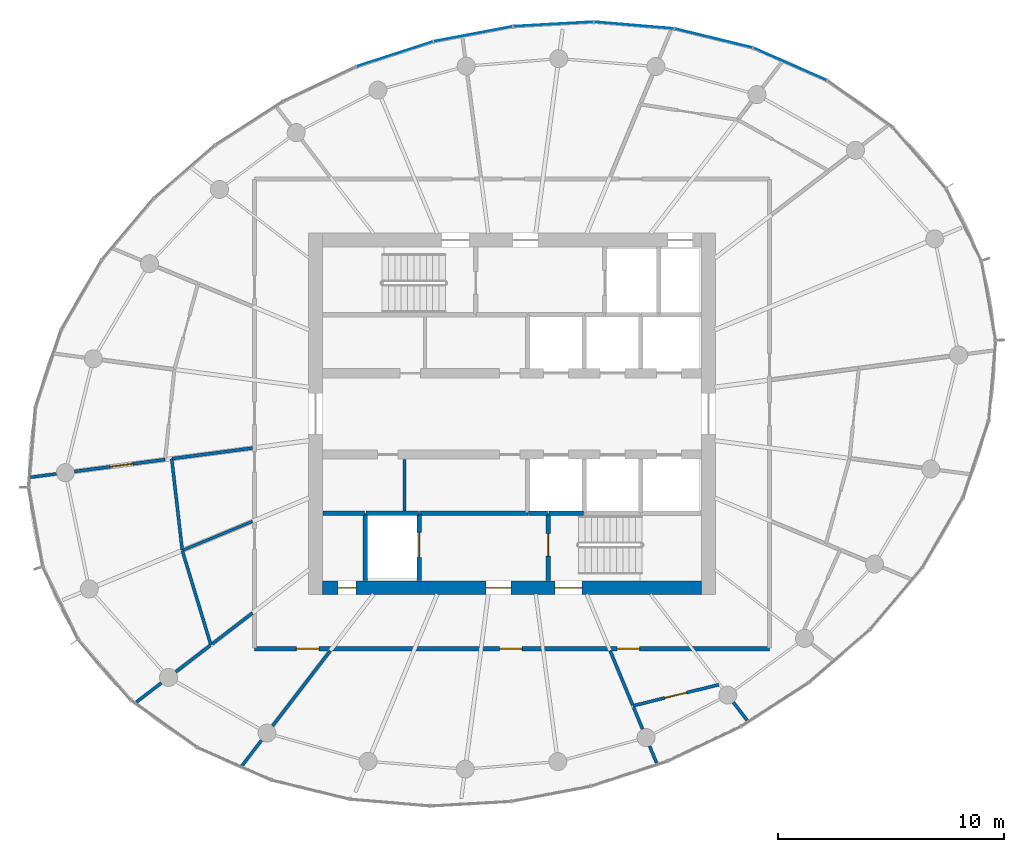
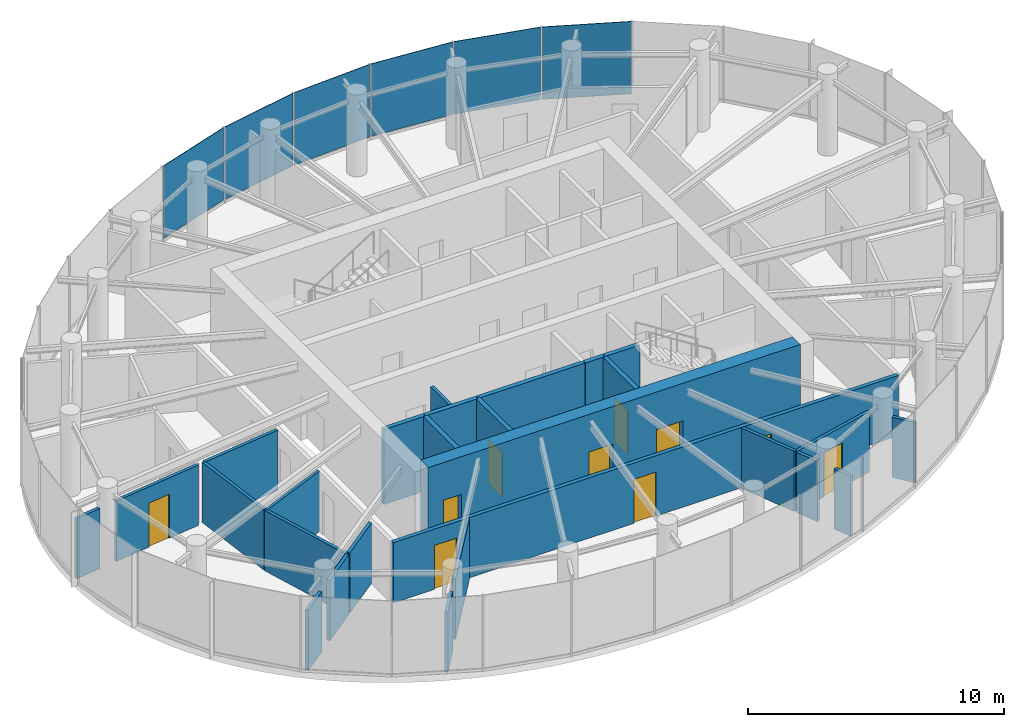
# One storey, part 8 of 13: 27 walls, 10 doors, 6 plates, 10 openings, 2 elements without a shape of their own.
"""IFC4 building model written with IfcOpenShell, lengths in metres."""

import ifcopenshell
import ifcopenshell.guid

model = None  # the IFC model being written
_history = None  # IfcOwnerHistory: only IFC2X3 demands one
_inside = {}  # id of a spatial element -> (the spatial element, [elements in it])
_under = {}  # id of a project, library or spatial element -> (it, [spatial elements below it])
_declared = {}  # id of a project -> (the project, [libraries it declares])
_typed = {}  # id of a type object -> (the type object, [elements of that type])
_made_of = {}  # id of a material, layer set ... -> (it, [elements and type objects made of it])


def new_model(schema):
    """Start an empty IFC model of exactly this schema.

    Asked for "IFC4X3", IfcOpenShell would pick the latest addendum, in which some entities
    have other attributes; the version numbers below select the first issue.
    IFC2X3 requires an IfcOwnerHistory on every rooted entity: one is made here for all.
    """
    global model, _history
    if schema == "IFC4X3":
        model = ifcopenshell.file(schema_version=(4, 3, 0, 0))
    else:
        model = ifcopenshell.file(schema=schema)
    _inside.clear()
    _under.clear()
    _declared.clear()
    _typed.clear()
    _made_of.clear()
    _history = None
    if model.schema == "IFC2X3":
        org = make("IfcOrganization", Name="unknown")
        user = make(
            "IfcPersonAndOrganization",
            ThePerson=make("IfcPerson", FamilyName="unknown"),
            TheOrganization=org,
        )
        app = make(
            "IfcApplication",
            ApplicationDeveloper=org,
            Version="unknown",
            ApplicationFullName="unknown",
            ApplicationIdentifier="unknown",
        )
        _history = make(
            "IfcOwnerHistory",
            OwningUser=user,
            OwningApplication=app,
            ChangeAction="ADDED",
            CreationDate=0,
        )
    return model


def make(cls, **values):
    """One entity of the class cls with the attributes given. An attribute that is None is left unset."""
    return model.create_entity(
        cls, **{name: value for name, value in values.items() if value is not None}
    )


def rooted(cls, **values):
    """An entity with a GlobalId (a new one), such as an element, a storey or a relation."""
    return make(cls, GlobalId=ifcopenshell.guid.new(), OwnerHistory=_history, **values)


def si_unit(unit_type, name, prefix=None):
    """IfcSIUnit, for example si_unit("LENGTHUNIT", "METRE", prefix="MILLI")."""
    return make("IfcSIUnit", UnitType=unit_type, Prefix=prefix, Name=name)


def assignment(units):
    """IfcUnitAssignment: the units of a project."""
    return None if units is None else make("IfcUnitAssignment", Units=units)


def point(xyz):
    """IfcCartesianPoint."""
    return None if xyz is None else make("IfcCartesianPoint", Coordinates=xyz)


def direction(xyz):
    """IfcDirection."""
    return None if xyz is None else make("IfcDirection", DirectionRatios=xyz)


def frame(location, z_axis=None, x_axis=None):
    """IfcAxis2Placement3D, a coordinate frame: its origin and axes. An axis left out is left unset."""
    return make(
        "IfcAxis2Placement3D",
        Location=point(location),
        Axis=direction(z_axis),
        RefDirection=direction(x_axis),
    )


def frame_2d(location, x_axis=None):
    """IfcAxis2Placement2D, a coordinate frame in the plane: its origin and x axis."""
    return make(
        "IfcAxis2Placement2D", Location=point(location), RefDirection=direction(x_axis)
    )


def origin():
    """The frame at (0, 0, 0) with its axes left unset."""
    return frame((0.0, 0.0, 0.0))


def origin_2d():
    """The frame at (0, 0) in the plane with its x axis left unset."""
    return frame_2d((0.0, 0.0))


def place(relative_to, where):
    """IfcLocalPlacement: puts the frame where relative to a parent placement (None: the world)."""
    return make(
        "IfcLocalPlacement", PlacementRelTo=relative_to, RelativePlacement=where
    )


def context(
    kind, dimensions, precision=None, world=None, true_north=None, identifier=None
):
    """IfcGeometricRepresentationContext, for example the 3D "Model" context."""
    return make(
        "IfcGeometricRepresentationContext",
        ContextIdentifier=identifier,
        ContextType=kind,
        CoordinateSpaceDimension=dimensions,
        Precision=precision,
        WorldCoordinateSystem=world,
        TrueNorth=true_north,
    )


def subcontext(parent, identifier, kind, view, scale=None):
    """IfcGeometricRepresentationSubContext, for example "Body" below "Model"."""
    return make(
        "IfcGeometricRepresentationSubContext",
        ContextIdentifier=identifier,
        ContextType=kind,
        ParentContext=parent,
        TargetScale=scale,
        TargetView=view,
    )


def project(units=None, contexts=None):
    """IfcProject with its units and contexts."""
    return rooted(
        "IfcProject",
        Name="project",
        RepresentationContexts=contexts,
        UnitsInContext=assignment(units),
    )


def spatial(cls, under=None, at=None, **own):
    """A site, building, storey or space (cls), placed at a placement, below another one or the project."""
    s = rooted(cls, ObjectPlacement=at, **own)
    if under is not None:
        _under.setdefault(under.id(), (under, []))[1].append(s)
    return s


def profile(cls, at=None, kind="AREA", **sizes):
    """A parametric profile (cls). Its sizes go by their IFC names, for example OverallWidth=200.0."""
    return make(cls, ProfileType=kind, Position=at, **sizes)


def rectangle(**sizes):
    """IfcRectangleProfileDef."""
    return profile("IfcRectangleProfileDef", **sizes)


def extrude(swept, where, along, depth):
    """IfcExtrudedAreaSolid: the profile swept, set in the frame where, extruded along a direction by depth."""
    return make(
        "IfcExtrudedAreaSolid",
        SweptArea=swept,
        Position=where,
        ExtrudedDirection=direction(along),
        Depth=depth,
    )


def shape(context_of_items, identifier, shape_type, items):
    """IfcShapeRepresentation: the items that make up one representation, for example the "Body"."""
    return make(
        "IfcShapeRepresentation",
        ContextOfItems=context_of_items,
        RepresentationIdentifier=identifier,
        RepresentationType=shape_type,
        Items=items,
    )


def source(mapping_origin, context_of_items, identifier, shape_type, items):
    """IfcRepresentationMap: a shape defined once, which mapped items show again and again."""
    return make(
        "IfcRepresentationMap",
        MappingOrigin=mapping_origin,
        MappedRepresentation=shape(context_of_items, identifier, shape_type, items),
    )


def transform(
    local_origin,
    x_axis=None,
    y_axis=None,
    z_axis=None,
    scale=None,
    scale2=None,
    scale3=None,
    uniform=True,
):
    """IfcCartesianTransformationOperator3D, or its non-uniform kind. x_axis, y_axis, z_axis: its Axis1, 2, 3."""
    if uniform:
        return make(
            "IfcCartesianTransformationOperator3D",
            Axis1=direction(x_axis),
            Axis2=direction(y_axis),
            LocalOrigin=point(local_origin),
            Scale=scale,
            Axis3=direction(z_axis),
        )
    return make(
        "IfcCartesianTransformationOperator3DnonUniform",
        Axis1=direction(x_axis),
        Axis2=direction(y_axis),
        LocalOrigin=point(local_origin),
        Scale=scale,
        Axis3=direction(z_axis),
        Scale2=scale2,
        Scale3=scale3,
    )


def mapped(mapping_source, mapping_target):
    """IfcMappedItem: shows the shape of a source again, moved by a transform."""
    return make(
        "IfcMappedItem", MappingSource=mapping_source, MappingTarget=mapping_target
    )


def material(Name=None, Category=None):
    """IfcMaterial."""
    return make("IfcMaterial", Name=Name, Category=Category)


def layer(
    of_material, thickness, ventilated=None, Name=None, Category=None, Priority=None
):
    """IfcMaterialLayer: one layer of a wall or slab, of a material (None: an air gap)."""
    return make(
        "IfcMaterialLayer",
        Material=of_material,
        LayerThickness=thickness,
        IsVentilated=ventilated,
        Name=Name,
        Category=Category,
        Priority=Priority,
    )


def layer_set(layers, Name=None):
    """IfcMaterialLayerSet."""
    return make("IfcMaterialLayerSet", MaterialLayers=layers, LayerSetName=Name)


def made_of(thing, what):
    """Note that an element or type object is made of a material, layer set ...; save() writes the relation."""
    if what is not None:
        _made_of.setdefault(what.id(), (what, []))[1].append(thing)
    return thing


def type_object(cls, material=None, **own):
    """A type object (cls), such as IfcWallType, which elements share."""
    return made_of(rooted(cls, **own), material)


def element(
    cls,
    number,
    at=None,
    inside=None,
    cuts=None,
    type_object=None,
    material=None,
    context=None,
    identifier="Body",
    shape_type=None,
    held_by="IfcProductDefinitionShape",
    body=None,
    shapes=None,
    **own,
):
    """One element of the class cls, such as IfcWall. Its Tag is "e" and its number.

    at: its placement. inside: the storey or other place that contains it. cuts: it is an
    opening in that element (IfcRelVoidsElement). A single representation is given by context,
    identifier, shape_type and body (its items); several are given by shapes. held_by: the class
    of the entity that holds the representations. save() writes the other relations.
    """
    e = rooted(cls, Tag="e%d" % number, ObjectPlacement=at, **own)
    if body is not None:
        shapes = [shape(context, identifier, shape_type, body)]
    if shapes is not None:
        e.Representation = make(held_by, Representations=shapes)
    if inside is not None:
        _inside.setdefault(inside.id(), (inside, []))[1].append(e)
    if cuts is not None:
        rooted(
            "IfcRelVoidsElement", RelatingBuildingElement=cuts, RelatedOpeningElement=e
        )
    if type_object is not None:
        _typed.setdefault(type_object.id(), (type_object, []))[1].append(e)
    return made_of(e, material)


def fill(opening, filler):
    """IfcRelFillsElement: the door or window that sits in an opening."""
    return rooted(
        "IfcRelFillsElement",
        RelatingOpeningElement=opening,
        RelatedBuildingElement=filler,
    )


def aggregate(whole, parts):
    """IfcRelAggregates: a whole, such as a stair, and the parts it consists of."""
    return rooted("IfcRelAggregates", RelatingObject=whole, RelatedObjects=parts)


def save(model, path):
    """Write the relations noted so far, then the file.

    IfcRelAggregates (storeys below a building ...), IfcRelContainedInSpatialStructure (elements
    in a storey), IfcRelDefinesByType, IfcRelAssociatesMaterial and IfcRelDeclares: one each for
    every whole, place, type object, material and project.
    """
    for whole, parts in _under.values():
        aggregate(whole, parts)
    for where, things in _inside.values():
        rooted(
            "IfcRelContainedInSpatialStructure",
            RelatedElements=things,
            RelatingStructure=where,
        )
    for kind, things in _typed.values():
        rooted("IfcRelDefinesByType", RelatedObjects=things, RelatingType=kind)
    for what, things in _made_of.values():
        rooted("IfcRelAssociatesMaterial", RelatedObjects=things, RelatingMaterial=what)
    for by, libraries in _declared.values():
        rooted("IfcRelDeclares", RelatingContext=by, RelatedDefinitions=libraries)
    model.write(path)


model = new_model("IFC4")

# Units and contexts
model_context = context("Model", 3, precision=1e-05, world=origin(), true_north=direction((0.0, 1.0)))
body_context = subcontext(model_context, "Body", "Model", "MODEL_VIEW")
ifc_project = project(units=[si_unit("LENGTHUNIT", "METRE"), si_unit("AREAUNIT", "SQUARE_METRE"), si_unit("VOLUMEUNIT", "CUBIC_METRE"), si_unit("PLANEANGLEUNIT", "RADIAN"), si_unit("MASSUNIT", "GRAM", prefix="KILO")], contexts=[model_context])

# Site, building, storey
site_placement = place(None, origin())
site = spatial("IfcSite", under=ifc_project, at=site_placement, CompositionType="ELEMENT")
building_placement = place(site_placement, origin())
building = spatial("IfcBuilding", under=site, at=building_placement, Name="Spindrift Exchange Tower", CompositionType="ELEMENT")
storey_placement = place(building_placement, frame((0.0, 0.0, 250.10009765625)))
storey = spatial("IfcBuildingStorey", under=building, at=storey_placement, Name="L61", CompositionType="ELEMENT", Elevation=250.10009765625)

# Curtain wall, plates
ifc_material_1 = material(Name="Fritted laminated glass with bronze frame", Category="glass")
ifc_layer_1 = layer(ifc_material_1, 0.159912109375)
ifc_layer_set_1 = layer_set([ifc_layer_1], Name="ZONE 5 BRONZE FRITTED WALL")
curtain_wall_type = type_object("IfcCurtainWallType", Name="ZONE 5 BRONZE FRITTED WALL", PredefinedType="NOTDEFINED", material=ifc_layer_set_1)
curtain_wall_1_placement = place(storey_placement, origin())
curtain_wall_1 = element("IfcCurtainWall", 1, at=curtain_wall_1_placement, inside=storey, type_object=curtain_wall_type, Name="L61 Zone 5 Bronze Fritted Wall run 2", PredefinedType="NOTDEFINED")
ifc_material_2 = material(Name="Bronze fritted laminated glass, open frit", Category="glass")
ifc_layer_2 = layer(ifc_material_2, 0.028076171875)
ifc_layer_set_2 = layer_set([ifc_layer_2], Name="ZONE 5 BRONZE FRITTED WALL PANEL OPEN FRIT 360")
plate_type_1 = type_object("IfcPlateType", Name="ZONE 5 BRONZE FRITTED WALL PANEL OPEN FRIT 360", PredefinedType="CURTAIN_PANEL", material=ifc_layer_set_2)
shared_shape_1 = source(origin(), body_context, "Body", "SweptSolid", [
    extrude(rectangle(XDim=3.5263671875, YDim=0.028076171875, at=origin_2d()), origin(), (0.0, 0.0, 1.0), 3.4599609375),
])
plate_1_placement = place(storey_placement, frame((46.80908203125, 63.93408203125, 0.119873046875), z_axis=(0.0, 0.0, 1.0), x_axis=(-0.950822171479, -0.309737305188, 0.0)))
plate_1 = element("IfcPlate", 2, at=plate_1_placement, type_object=plate_type_1, Name="L61 panel CW-5.9", PredefinedType="CURTAIN_PANEL", context=body_context, shape_type="MappedRepresentation", body=[
    mapped(shared_shape_1, transform((0.0, 0.0, 0.0), scale=1.0)),
])
ifc_layer_3 = layer(ifc_material_2, 0.028076171875)
ifc_layer_set_3 = layer_set([ifc_layer_3], Name="ZONE 5 BRONZE FRITTED WALL PANEL OPEN FRIT 600")
plate_type_2 = type_object("IfcPlateType", Name="ZONE 5 BRONZE FRITTED WALL PANEL OPEN FRIT 600", PredefinedType="CURTAIN_PANEL", material=ifc_layer_set_3)
shared_shape_2 = source(origin(), body_context, "Body", "SweptSolid", [
    extrude(rectangle(XDim=3.526123046875, YDim=0.028076171875, at=origin_2d()), origin(), (0.0, 0.0, 1.0), 3.4599609375),
])
plate_2_placement = place(storey_placement, frame((50.275634765625, 64.82421875, 0.119873046875), z_axis=(0.0, 0.0, 1.0), x_axis=(-0.982419783193, -0.186685215243, 0.0)))
plate_2 = element("IfcPlate", 3, at=plate_2_placement, type_object=plate_type_2, Name="L61 panel CW-5.8", PredefinedType="CURTAIN_PANEL", context=body_context, shape_type="MappedRepresentation", body=[
    mapped(shared_shape_2, transform((0.0, 0.0, 0.0), scale=1.0)),
])

# Curtain wall, plate
curtain_wall_2_placement = place(storey_placement, origin())
curtain_wall_2 = element("IfcCurtainWall", 4, at=curtain_wall_2_placement, inside=storey, type_object=curtain_wall_type, Name="L61 Zone 5 Bronze Fritted Wall run 1", PredefinedType="NOTDEFINED")
shared_shape_3 = source(origin(), body_context, "Body", "SweptSolid", [
    extrude(rectangle(XDim=3.5234375, YDim=0.028076171875, at=origin_2d()), origin(), (0.0, 0.0, 1.0), 3.4599609375),
])
plate_3_placement = place(storey_placement, frame((64.312744140625, 63.48779296875, 0.119873046875), z_axis=(0.0, 0.0, 1.0), x_axis=(-0.915078658027, 0.403275401709, 0.0)))
plate_3 = element("IfcPlate", 5, at=plate_3_placement, type_object=plate_type_1, Name="L61 panel CW-5.4", PredefinedType="CURTAIN_PANEL", context=body_context, shape_type="MappedRepresentation", body=[
    mapped(shared_shape_3, transform((0.0, 0.0, 0.0), scale=1.0)),
])

# Plate
shared_shape_4 = source(origin(), body_context, "Body", "SweptSolid", [
    extrude(rectangle(XDim=3.526123046875, YDim=0.028076171875, at=origin_2d()), origin(), (0.0, 0.0, 1.0), 3.4599609375),
])
plate_4_placement = place(storey_placement, frame((53.827392578125, 65.260009765625, 0.119873046875), z_axis=(0.0, 0.0, 1.0), x_axis=(-0.998415428603, -0.056272834713, 0.0)))
plate_4 = element("IfcPlate", 6, at=plate_4_placement, type_object=plate_type_1, Name="L61 panel CW-5.7", PredefinedType="CURTAIN_PANEL", context=body_context, shape_type="MappedRepresentation", body=[
    mapped(shared_shape_4, transform((0.0, 0.0, 0.0), scale=1.0)),
])

aggregate(curtain_wall_1, [plate_4, plate_2, plate_1])

ifc_layer_4 = layer(ifc_material_2, 0.028076171875)
ifc_layer_set_4 = layer_set([ifc_layer_4], Name="ZONE 5 BRONZE FRITTED WALL PANEL OPEN FRIT 480")
plate_type_3 = type_object("IfcPlateType", Name="ZONE 5 BRONZE FRITTED WALL PANEL OPEN FRIT 480", PredefinedType="CURTAIN_PANEL", material=ifc_layer_set_4)
shared_shape_5 = source(origin(), body_context, "Body", "SweptSolid", [
    extrude(rectangle(XDim=3.524658203125, YDim=0.028076171875, at=origin_2d()), origin(), (0.0, 0.0, 1.0), 3.4599609375),
])
plate_5_placement = place(storey_placement, frame((60.931640625, 64.635009765625, 0.119873046875), z_axis=(0.0, 0.0, 1.0), x_axis=(-0.971548706636, 0.236839841738, 0.0)))
plate_5 = element("IfcPlate", 7, at=plate_5_placement, type_object=plate_type_3, Name="L61 panel CW-5.5", PredefinedType="CURTAIN_PANEL", context=body_context, shape_type="MappedRepresentation", body=[
    mapped(shared_shape_5, transform((0.0, 0.0, 0.0), scale=1.0)),
])

shared_shape_6 = source(origin(), body_context, "Body", "SweptSolid", [
    extrude(rectangle(XDim=3.525390625, YDim=0.028076171875, at=origin_2d()), origin(), (0.0, 0.0, 1.0), 3.4599609375),
])
plate_6_placement = place(storey_placement, frame((57.404052734375, 65.210205078125, 0.119873046875), z_axis=(0.0, 0.0, 1.0), x_axis=(-0.996463002829, 0.084032636481, 0.0)))
plate_6 = element("IfcPlate", 8, at=plate_6_placement, type_object=plate_type_1, Name="L61 panel CW-5.6", PredefinedType="CURTAIN_PANEL", context=body_context, shape_type="MappedRepresentation", body=[
    mapped(shared_shape_6, transform((0.0, 0.0, 0.0), scale=1.0)),
])

aggregate(curtain_wall_2, [plate_3, plate_5, plate_6])

# Wall, openings, doors
ifc_material_3 = material(Name="Concrete 50 MPa", Category="concrete")
ifc_layer_5 = layer(ifc_material_3, 0.60009765625)
ifc_layer_set_5 = layer_set([ifc_layer_5], Name="RC Core Wall 600 Concrete 50 MPa")
wall_type_1 = type_object("IfcWallType", Name="RC Core Wall 600 Concrete 50 MPa", PredefinedType="SHEAR", material=ifc_layer_set_5)
wall_1_placement = place(storey_placement, frame((43.60009765625, 40.300048828125, 0.0), z_axis=(0.0, 0.0, 1.0), x_axis=(1.0, 0.0, 0.0)))
wall_1 = element("IfcWall", 9, at=wall_1_placement, inside=storey, type_object=wall_type_1, Name="Core wall S L61", PredefinedType="SHEAR", context=body_context, shape_type="SweptSolid", body=[
    extrude(rectangle(XDim=16.7998046875, YDim=0.60009765625, at=frame_2d((8.39990234375, 0.0))), origin(), (0.0, 0.0, 1.0), 3.89990234375),
])
opening_1_placement = place(wall_1_placement, frame((10.300048828125, 0.0, 0.0)))
opening_1 = element("IfcOpeningElement", 10, at=opening_1_placement, cuts=wall_1, Name="Opening L61-D15", PredefinedType="OPENING", context=body_context, shape_type="SweptSolid", body=[
    extrude(rectangle(XDim=1.199951171875, YDim=2.10009765625, at=frame_2d((0.60009765625, 1.050048828125))), frame((0.0, 0.31005859375, 0.0), z_axis=(0.0, -1.0, 0.0), x_axis=(1.0, 0.0, 0.0)), (0.0, 0.0, 1.0), 0.6201171875),
])
opening_2_placement = place(wall_1_placement, frame((7.25, 0.0, 0.0)))
opening_2 = element("IfcOpeningElement", 11, at=opening_2_placement, cuts=wall_1, Name="Opening L61-D17", PredefinedType="OPENING", context=body_context, shape_type="SweptSolid", body=[
    extrude(rectangle(XDim=1.10009765625, YDim=2.10009765625, at=frame_2d((0.550048828125, 1.050048828125))), frame((0.0, 0.31005859375, 0.0), z_axis=(0.0, -1.0, 0.0), x_axis=(1.0, 0.0, 0.0)), (0.0, 0.0, 1.0), 0.6201171875),
])
opening_3_placement = place(wall_1_placement, frame((0.699951171875, 0.0, 0.0)))
opening_3 = element("IfcOpeningElement", 12, at=opening_3_placement, cuts=wall_1, Name="Opening L61-D18", PredefinedType="OPENING", context=body_context, shape_type="SweptSolid", body=[
    extrude(rectangle(XDim=0.800048828125, YDim=2.10009765625, at=frame_2d((0.39990234375, 1.050048828125))), frame((0.0, 0.31005859375, 0.0), z_axis=(0.0, -1.0, 0.0), x_axis=(1.0, 0.0, 0.0)), (0.0, 0.0, 1.0), 0.6201171875),
])
ifc_material_4 = material(Name="Steel fire door", Category="steel")
door_type_1 = type_object("IfcDoorType", Name="DR-STAIR-1200", OperationType="NOTDEFINED", PredefinedType="DOOR", material=ifc_material_4)
shared_shape_7 = source(origin(), body_context, "Body", "SweptSolid", [
    extrude(rectangle(XDim=1.199951171875, YDim=2.10009765625, at=frame_2d((0.60009765625, 1.050048828125))), frame((0.0, 0.02490234375, 0.0), z_axis=(0.0, -1.0, 0.0), x_axis=(1.0, 0.0, 0.0)), (0.0, 0.0, 1.0), 0.050048828125),
])
door_1_placement = place(opening_1_placement, origin())
door_1 = element("IfcDoor", 13, at=door_1_placement, inside=storey, type_object=door_type_1, Name="L61 Stair door 15", OperationType="SINGLE_SWING_LEFT", OverallHeight=2.10009765625, OverallWidth=1.199951171875, PredefinedType="DOOR", context=body_context, shape_type="MappedRepresentation", body=[
    mapped(shared_shape_7, transform((0.0, 0.0, 0.0), scale=1.0)),
])
fill(opening_1, door_1)
ifc_material_5 = material(Name="Timber-core fire door", Category="wood")
door_type_2 = type_object("IfcDoorType", Name="DR-LOBBY-1100", OperationType="NOTDEFINED", PredefinedType="DOOR", material=ifc_material_5)
shared_shape_8 = source(origin(), body_context, "Body", "SweptSolid", [
    extrude(rectangle(XDim=1.10009765625, YDim=2.10009765625, at=frame_2d((0.550048828125, 1.050048828125))), frame((0.0, 0.02490234375, 0.0), z_axis=(0.0, -1.0, 0.0), x_axis=(1.0, 0.0, 0.0)), (0.0, 0.0, 1.0), 0.050048828125),
])
door_2_placement = place(opening_2_placement, origin())
door_2 = element("IfcDoor", 14, at=door_2_placement, inside=storey, type_object=door_type_2, Name="L61 Lobby door 17", OperationType="SINGLE_SWING_LEFT", OverallHeight=2.10009765625, OverallWidth=1.10009765625, PredefinedType="DOOR", context=body_context, shape_type="MappedRepresentation", body=[
    mapped(shared_shape_8, transform((0.0, 0.0, 0.0), scale=1.0)),
])
fill(opening_2, door_2)
ifc_material_6 = material(Name="Steel access door", Category="steel")
door_type_3 = type_object("IfcDoorType", Name="DR-RISER-800", OperationType="NOTDEFINED", PredefinedType="DOOR", material=ifc_material_6)
shared_shape_9 = source(origin(), body_context, "Body", "SweptSolid", [
    extrude(rectangle(XDim=0.800048828125, YDim=2.10009765625, at=frame_2d((0.39990234375, 1.050048828125))), frame((0.0, 0.02490234375, 0.0), z_axis=(0.0, -1.0, 0.0), x_axis=(1.0, 0.0, 0.0)), (0.0, 0.0, 1.0), 0.050048828125),
])
door_3_placement = place(opening_3_placement, origin())
door_3 = element("IfcDoor", 15, at=door_3_placement, inside=storey, type_object=door_type_3, Name="L61 Riser door 18", OperationType="SINGLE_SWING_RIGHT", OverallHeight=2.10009765625, OverallWidth=0.800048828125, PredefinedType="DOOR", context=body_context, shape_type="MappedRepresentation", body=[
    mapped(shared_shape_9, transform((0.0, 0.0, 0.0), scale=1.0)),
])
fill(opening_3, door_3)

ifc_material_7 = material(Name="Fire-rated plasterboard partition", Category="gypsum")
ifc_layer_6 = layer(ifc_material_7, 0.179931640625)
ifc_layer_set_6 = layer_set([ifc_layer_6], Name="W-CORR-180")
wall_type_2 = type_object("IfcWallType", Name="W-CORR-180", PredefinedType="PARTITIONING", material=ifc_layer_set_6)
wall_2_placement = place(storey_placement, frame((63.39990234375, 37.60009765625, 0.0), z_axis=(0.0, 0.0, 1.0), x_axis=(-1.0, 0.0, 0.0)))
wall_2 = element("IfcWall", 16, at=wall_2_placement, inside=storey, type_object=wall_type_2, Name="L61 Partition wall 28", PredefinedType="PARTITIONING", context=body_context, shape_type="SweptSolid", body=[
    extrude(rectangle(XDim=22.7998046875, YDim=0.179931640625, at=frame_2d((11.39990234375, 0.0))), origin(), (0.0, 0.0, 1.0), 2.8798828125),
])
opening_4_placement = place(wall_2_placement, frame((19.949951171875, 0.0, 0.0)))
opening_4 = element("IfcOpeningElement", 17, at=opening_4_placement, cuts=wall_2, Name="Opening L61-D21", PredefinedType="OPENING", context=body_context, shape_type="SweptSolid", body=[
    extrude(rectangle(XDim=1.0, YDim=2.10009765625, at=frame_2d((0.5, 1.050048828125))), frame((0.0, 0.099853515625, 0.0), z_axis=(0.0, -1.0, 0.0), x_axis=(1.0, 0.0, 0.0)), (0.0, 0.0, 1.0), 0.199951171875),
])
opening_5_placement = place(wall_2_placement, frame((10.949951171875, 0.0, 0.0)))
opening_5 = element("IfcOpeningElement", 18, at=opening_5_placement, cuts=wall_2, Name="Opening L61-D23", PredefinedType="OPENING", context=body_context, shape_type="SweptSolid", body=[
    extrude(rectangle(XDim=1.0, YDim=2.10009765625, at=frame_2d((0.5, 1.050048828125))), frame((0.0, 0.099853515625, 0.0), z_axis=(0.0, -1.0, 0.0), x_axis=(1.0, 0.0, 0.0)), (0.0, 0.0, 1.0), 0.199951171875),
])
opening_6_placement = place(wall_2_placement, frame((5.75, 0.0, 0.0)))
opening_6 = element("IfcOpeningElement", 19, at=opening_6_placement, cuts=wall_2, Name="Opening L61-D24", PredefinedType="OPENING", context=body_context, shape_type="SweptSolid", body=[
    extrude(rectangle(XDim=1.0, YDim=2.10009765625, at=frame_2d((0.5, 1.050048828125))), frame((0.0, 0.099853515625, 0.0), z_axis=(0.0, -1.0, 0.0), x_axis=(1.0, 0.0, 0.0)), (0.0, 0.0, 1.0), 0.199951171875),
])
door_type_4 = type_object("IfcDoorType", Name="DR-ROOM-1000", OperationType="NOTDEFINED", PredefinedType="DOOR", material=ifc_material_5)
shared_shape_10 = source(origin(), body_context, "Body", "SweptSolid", [
    extrude(rectangle(XDim=1.0, YDim=2.10009765625, at=frame_2d((0.5, 1.050048828125))), frame((0.0, 0.02490234375, 0.0), z_axis=(0.0, -1.0, 0.0), x_axis=(1.0, 0.0, 0.0)), (0.0, 0.0, 1.0), 0.050048828125),
])
door_4_placement = place(opening_4_placement, origin())
door_4 = element("IfcDoor", 20, at=door_4_placement, inside=storey, type_object=door_type_4, Name="L61 Door 21", OperationType="SINGLE_SWING_LEFT", OverallHeight=2.10009765625, OverallWidth=1.0, PredefinedType="DOOR", context=body_context, shape_type="MappedRepresentation", body=[
    mapped(shared_shape_10, transform((0.0, 0.0, 0.0), scale=1.0)),
])
fill(opening_4, door_4)
door_5_placement = place(opening_5_placement, origin())
door_5 = element("IfcDoor", 21, at=door_5_placement, inside=storey, type_object=door_type_4, Name="L61 Door 23", OperationType="SINGLE_SWING_LEFT", OverallHeight=2.10009765625, OverallWidth=1.0, PredefinedType="DOOR", context=body_context, shape_type="MappedRepresentation", body=[
    mapped(shared_shape_10, transform((0.0, 0.0, 0.0), scale=1.0)),
])
fill(opening_5, door_5)
door_6_placement = place(opening_6_placement, origin())
door_6 = element("IfcDoor", 22, at=door_6_placement, inside=storey, type_object=door_type_4, Name="L61 Door 24", OperationType="SINGLE_SWING_RIGHT", OverallHeight=2.10009765625, OverallWidth=1.0, PredefinedType="DOOR", context=body_context, shape_type="MappedRepresentation", body=[
    mapped(shared_shape_10, transform((0.0, 0.0, 0.0), scale=1.0)),
])
fill(opening_6, door_6)

# Walls
ifc_layer_7 = layer(ifc_material_7, 0.139892578125)
ifc_layer_set_7 = layer_set([ifc_layer_7], Name="W-PART-140")
wall_type_3 = type_object("IfcWallType", Name="W-PART-140", PredefinedType="PARTITIONING", material=ifc_layer_set_7)
wall_3_placement = place(storey_placement, frame((37.399658203125, 41.952392578125, 0.0), z_axis=(0.0, 0.0, 1.0), x_axis=(0.290001194342, -0.957026283485, 0.0)))
element("IfcWall", 23, at=wall_3_placement, inside=storey, type_object=wall_type_3, Name="L61 Partition wall 33", PredefinedType="PARTITIONING", context=body_context, shape_type="SweptSolid", body=[
    extrude(rectangle(XDim=4.370849609375, YDim=0.139892578125, at=frame_2d((2.185546875, 0.0))), origin(), (0.0, 0.0, 1.0), 2.8798828125),
])
wall_4_placement = place(storey_placement, frame((43.95068359375, 37.510009765625, 0.0), z_axis=(0.0, 0.0, 1.0), x_axis=(-0.60875313342, -0.793359705651, 0.0)))
element("IfcWall", 24, at=wall_4_placement, inside=storey, type_object=wall_type_3, Name="L61 Partition wall 35", PredefinedType="PARTITIONING", context=body_context, shape_type="SweptSolid", body=[
    extrude(rectangle(XDim=4.19091796875, YDim=0.139892578125, at=frame_2d((2.095458984375, 0.0))), origin(), (0.0, 0.0, 1.0), 2.8798828125),
])
wall_5_placement = place(storey_placement, frame((36.931884765625, 46.01611328125, 0.0), z_axis=(0.0, 0.0, 1.0), x_axis=(0.114357097704, -0.993439708389, 0.0)))
element("IfcWall", 25, at=wall_5_placement, inside=storey, type_object=wall_type_3, Name="L61 Partition wall 36", PredefinedType="PARTITIONING", context=body_context, shape_type="SweptSolid", body=[
    extrude(rectangle(XDim=4.060546875, YDim=0.139892578125, at=frame_2d((2.0302734375, 0.0))), origin(), (0.0, 0.0, 1.0), 2.8798828125),
])

# Wall, opening, door
wall_6_placement = place(storey_placement, frame((36.6416015625, 45.97802734375, 0.0), z_axis=(0.0, 0.0, 1.0), x_axis=(-0.991449578653, -0.130490355919, 0.0)))
wall_6 = element("IfcWall", 26, at=wall_6_placement, inside=storey, type_object=wall_type_3, Name="L61 Partition wall 37", PredefinedType="PARTITIONING", context=body_context, shape_type="SweptSolid", body=[
    extrude(rectangle(XDim=4.052490234375, YDim=0.139892578125, at=frame_2d((2.0263671875, 0.0))), origin(), (0.0, 0.0, 1.0), 2.8798828125),
])
opening_7_placement = place(wall_6_placement, frame((1.449951171875, 0.0, 0.0)))
opening_7 = element("IfcOpeningElement", 27, at=opening_7_placement, cuts=wall_6, Name="Opening L61-D22", PredefinedType="OPENING", context=body_context, shape_type="SweptSolid", body=[
    extrude(rectangle(XDim=1.0, YDim=2.10009765625, at=frame_2d((0.5, 1.050048828125))), frame((0.0, 0.079833984375, 0.0), z_axis=(0.0, -1.0, 0.0), x_axis=(1.0, 0.0, 0.0)), (0.0, 0.0, 1.0), 0.159912109375),
])
door_7_placement = place(opening_7_placement, origin())
door_7 = element("IfcDoor", 28, at=door_7_placement, inside=storey, type_object=door_type_4, Name="L61 Door 22", OperationType="SINGLE_SWING_RIGHT", OverallHeight=2.10009765625, OverallWidth=1.0, PredefinedType="DOOR", context=body_context, shape_type="MappedRepresentation", body=[
    mapped(shared_shape_10, transform((0.0, 0.0, 0.0), scale=1.0)),
])
fill(opening_7, door_7)

wall_7_placement = place(storey_placement, frame((61.155517578125, 36.008056640625, 0.0), z_axis=(0.0, 0.0, 1.0), x_axis=(-0.97111056308, -0.238629994499, 0.0)))
wall_7 = element("IfcWall", 29, at=wall_7_placement, inside=storey, type_object=wall_type_3, Name="L61 Partition wall 44", PredefinedType="PARTITIONING", context=body_context, shape_type="SweptSolid", body=[
    extrude(rectangle(XDim=3.914306640625, YDim=0.139892578125, at=frame_2d((1.95703125, 0.0))), origin(), (0.0, 0.0, 1.0), 2.8798828125),
])
opening_8_placement = place(wall_7_placement, frame((1.464599609375, 0.0, 0.0)))
opening_8 = element("IfcOpeningElement", 30, at=opening_8_placement, cuts=wall_7, Name="Opening L61-D25", PredefinedType="OPENING", context=body_context, shape_type="SweptSolid", body=[
    extrude(rectangle(XDim=1.0, YDim=2.10009765625, at=frame_2d((0.5, 1.050048828125))), frame((0.0, 0.079833984375, 0.0), z_axis=(0.0, -1.0, 0.0), x_axis=(1.0, 0.0, 0.0)), (0.0, 0.0, 1.0), 0.159912109375),
])
door_8_placement = place(opening_8_placement, origin())
door_8 = element("IfcDoor", 31, at=door_8_placement, inside=storey, type_object=door_type_4, Name="L61 Door 25", OperationType="SINGLE_SWING_LEFT", OverallHeight=2.10009765625, OverallWidth=1.0, PredefinedType="DOOR", context=body_context, shape_type="MappedRepresentation", body=[
    mapped(shared_shape_10, transform((0.0, 0.0, 0.0), scale=1.0)),
])
fill(opening_8, door_8)

# Walls
wall_8_placement = place(storey_placement, frame((40.510009765625, 46.4873046875, 0.0), z_axis=(0.0, 0.0, 1.0), x_axis=(-0.991448722209, -0.130496862914, 0.0)))
element("IfcWall", 32, at=wall_8_placement, inside=storey, type_object=wall_type_3, Name="L61 Partition wall 46", PredefinedType="PARTITIONING", context=body_context, shape_type="SweptSolid", body=[
    extrude(rectangle(XDim=3.578857421875, YDim=0.139892578125, at=frame_2d((1.78955078125, 0.0))), origin(), (0.0, 0.0, 1.0), 2.8798828125),
])
wall_9_placement = place(storey_placement, frame((56.34521484375, 37.510009765625, 0.0), z_axis=(0.0, 0.0, 1.0), x_axis=(0.382666102352, -0.923886710647, 0.0)))
element("IfcWall", 33, at=wall_9_placement, inside=storey, type_object=wall_type_3, Name="L61 Partition wall 51", PredefinedType="PARTITIONING", context=body_context, shape_type="SweptSolid", body=[
    extrude(rectangle(XDim=2.60693359375, YDim=0.139892578125, at=frame_2d((1.303466796875, 0.0))), origin(), (0.0, 0.0, 1.0), 2.8798828125),
])
wall_10_placement = place(storey_placement, frame((40.510009765625, 39.183349609375, 0.0), z_axis=(0.0, 0.0, 1.0), x_axis=(-0.793370316216, -0.608739304914, 0.0)))
element("IfcWall", 34, at=wall_10_placement, inside=storey, type_object=wall_type_3, Name="L61 Partition wall 54", PredefinedType="PARTITIONING", context=body_context, shape_type="SweptSolid", body=[
    extrude(rectangle(XDim=2.248046875, YDim=0.139892578125, at=frame_2d((1.1240234375, 0.0))), origin(), (0.0, 0.0, 1.0), 2.8798828125),
])
wall_11_placement = place(storey_placement, frame((47.239990234375, 43.699951171875, 0.0), z_axis=(0.0, 0.0, 1.0), x_axis=(0.0, 1.0, 0.0)))
element("IfcWall", 35, at=wall_11_placement, inside=storey, type_object=wall_type_3, Name="L61 Partition wall 55", PredefinedType="PARTITIONING", context=body_context, shape_type="SweptSolid", body=[
    extrude(rectangle(XDim=2.2900390625, YDim=0.139892578125, at=frame_2d((1.14501953125, 0.0))), origin(), (0.0, 0.0, 1.0), 2.8798828125),
])
wall_12_placement = place(storey_placement, frame((38.6435546875, 37.751220703125, 0.0), z_axis=(0.0, 0.0, 1.0), x_axis=(-0.793351926694, -0.60876327124, 0.0)))
element("IfcWall", 36, at=wall_12_placement, inside=storey, type_object=wall_type_3, Name="L61 Partition wall 58", PredefinedType="PARTITIONING", context=body_context, shape_type="SweptSolid", body=[
    extrude(rectangle(XDim=1.930908203125, YDim=0.139892578125, at=frame_2d((0.96533203125, 0.0))), origin(), (0.0, 0.0, 1.0), 2.8798828125),
])
wall_13_placement = place(storey_placement, frame((40.90673828125, 33.543212890625, 0.0), z_axis=(0.0, 0.0, 1.0), x_axis=(-0.608682974902, -0.793413534082, 0.0)))
element("IfcWall", 37, at=wall_13_placement, inside=storey, type_object=wall_type_3, Name="L61 Partition wall 61", PredefinedType="PARTITIONING", context=body_context, shape_type="SweptSolid", body=[
    extrude(rectangle(XDim=1.447265625, YDim=0.139892578125, at=frame_2d((0.7236328125, 0.0))), origin(), (0.0, 0.0, 1.0), 2.8798828125),
])
wall_14_placement = place(storey_placement, frame((36.469482421875, 36.0830078125, 0.0), z_axis=(0.0, 0.0, 1.0), x_axis=(-0.793347091369, -0.608769572676, 0.0)))
element("IfcWall", 38, at=wall_14_placement, inside=storey, type_object=wall_type_3, Name="L61 Partition wall 64", PredefinedType="PARTITIONING", context=body_context, shape_type="SweptSolid", body=[
    extrude(rectangle(XDim=1.379638671875, YDim=0.139892578125, at=frame_2d((0.68994140625, 0.0))), origin(), (0.0, 0.0, 1.0), 2.8798828125),
])
wall_15_placement = place(storey_placement, frame((31.821533203125, 45.343505859375, 0.0), z_axis=(0.0, 0.0, 1.0), x_axis=(-0.991431107299, -0.130630622292, 0.0)))
element("IfcWall", 39, at=wall_15_placement, inside=storey, type_object=wall_type_3, Name="L61 Partition wall 73", PredefinedType="PARTITIONING", context=body_context, shape_type="SweptSolid", body=[
    extrude(rectangle(XDim=1.1474609375, YDim=0.139892578125, at=frame_2d((0.57373046875, 0.0))), origin(), (0.0, 0.0, 1.0), 2.8798828125),
])
wall_16_placement = place(storey_placement, frame((57.38134765625, 35.00830078125, 0.0), z_axis=(0.0, 0.0, 1.0), x_axis=(0.382612471688, -0.923908922194, 0.0)))
element("IfcWall", 40, at=wall_16_placement, inside=storey, type_object=wall_type_3, Name="L61 Partition wall 74", PredefinedType="PARTITIONING", context=body_context, shape_type="SweptSolid", body=[
    extrude(rectangle(XDim=1.0478515625, YDim=0.139892578125, at=frame_2d((0.52392578125, 0.0))), origin(), (0.0, 0.0, 1.0), 2.8798828125),
])
wall_17_placement = place(storey_placement, frame((61.802001953125, 35.225830078125, 0.0), z_axis=(0.0, 0.0, 1.0), x_axis=(0.608704056843, -0.793397360207, 0.0)))
element("IfcWall", 41, at=wall_17_placement, inside=storey, type_object=wall_type_3, Name="L61 Partition wall 78", PredefinedType="PARTITIONING", context=body_context, shape_type="SweptSolid", body=[
    extrude(rectangle(XDim=0.99658203125, YDim=0.139892578125, at=frame_2d((0.498291015625, 0.0))), origin(), (0.0, 0.0, 1.0), 2.8798828125),
])
wall_18_placement = place(storey_placement, frame((58.09228515625, 33.291748046875, 0.0), z_axis=(0.0, 0.0, 1.0), x_axis=(0.382548125173, -0.923935566978, 0.0)))
element("IfcWall", 42, at=wall_18_placement, inside=storey, type_object=wall_type_3, Name="L61 Partition wall 80", PredefinedType="PARTITIONING", context=body_context, shape_type="SweptSolid", body=[
    extrude(rectangle(XDim=0.805419921875, YDim=0.139892578125, at=frame_2d((0.40283203125, 0.0))), origin(), (0.0, 0.0, 1.0), 2.8798828125),
])
ifc_material_8 = material(Name="Concrete 40 MPa", Category="concrete")
ifc_layer_8 = layer(ifc_material_8, 0.199951171875)
ifc_layer_set_8 = layer_set([ifc_layer_8], Name="W-SHAFT-200")
wall_type_4 = type_object("IfcWallType", Name="W-SHAFT-200", PredefinedType="SOLIDWALL", material=ifc_layer_set_8)
wall_19_placement = place(storey_placement, frame((52.699951171875, 43.60009765625, 0.0), z_axis=(0.0, 0.0, 1.0), x_axis=(-1.0, 0.0, 0.0)))
element("IfcWall", 43, at=wall_19_placement, inside=storey, type_object=wall_type_4, Name="L61 Shaft wall 2", PredefinedType="SOLIDWALL", context=body_context, shape_type="SweptSolid", body=[
    extrude(rectangle(XDim=4.800048828125, YDim=0.199951171875, at=frame_2d((2.39990234375, 0.0))), origin(), (0.0, 0.0, 1.0), 3.579833984375),
])
wall_20_placement = place(storey_placement, frame((45.5, 43.60009765625, 0.0), z_axis=(0.0, 0.0, 1.0), x_axis=(0.0, -1.0, 0.0)))
element("IfcWall", 44, at=wall_20_placement, inside=storey, type_object=wall_type_4, Name="L61 Shaft wall 3", PredefinedType="SOLIDWALL", context=body_context, shape_type="SweptSolid", body=[
    extrude(rectangle(XDim=2.97998046875, YDim=0.199951171875, at=frame_2d((1.489990234375, 0.0))), origin(), (0.0, 0.0, 1.0), 3.579833984375),
])

# Wall, opening, door
wall_21_placement = place(storey_placement, frame((47.89990234375, 40.6201171875, 0.0), z_axis=(0.0, 0.0, 1.0), x_axis=(0.0, 1.0, 0.0)))
wall_21 = element("IfcWall", 45, at=wall_21_placement, inside=storey, type_object=wall_type_4, Name="L61 Shaft wall 4", PredefinedType="SOLIDWALL", context=body_context, shape_type="SweptSolid", body=[
    extrude(rectangle(XDim=2.949951171875, YDim=0.199951171875, at=frame_2d((1.47509765625, 0.0))), origin(), (0.0, 0.0, 1.0), 3.579833984375),
])
opening_9_placement = place(wall_21_placement, frame((1.030029296875, 0.0, 0.0)))
opening_9 = element("IfcOpeningElement", 46, at=opening_9_placement, cuts=wall_21, Name="Opening L61-D10", PredefinedType="OPENING", context=body_context, shape_type="SweptSolid", body=[
    extrude(rectangle(XDim=1.10009765625, YDim=2.10009765625, at=frame_2d((0.550048828125, 1.050048828125))), frame((0.0, 0.10986328125, 0.0), z_axis=(0.0, -1.0, 0.0), x_axis=(1.0, 0.0, 0.0)), (0.0, 0.0, 1.0), 0.219970703125),
])
ifc_material_9 = material(Name="Stainless steel landing door", Category="steel")
door_type_5 = type_object("IfcDoorType", Name="DR-LANDING-1100-SL", OperationType="DOUBLE_DOOR_SLIDING", PredefinedType="USERDEFINED", material=ifc_material_9)
shared_shape_11 = source(origin(), body_context, "Body", "SweptSolid", [
    extrude(rectangle(XDim=1.10009765625, YDim=2.10009765625, at=frame_2d((0.550048828125, 1.050048828125))), frame((0.0, 0.02490234375, 0.0), z_axis=(0.0, -1.0, 0.0), x_axis=(1.0, 0.0, 0.0)), (0.0, 0.0, 1.0), 0.050048828125),
])
door_9_placement = place(opening_9_placement, origin())
door_9 = element("IfcDoor", 47, at=door_9_placement, inside=storey, type_object=door_type_5, Name="L61 Lift landing door 10", ObjectType="LANDING DOOR", OperationType="DOUBLE_DOOR_SLIDING", OverallHeight=2.10009765625, OverallWidth=1.10009765625, PredefinedType="USERDEFINED", context=body_context, shape_type="MappedRepresentation", body=[
    mapped(shared_shape_11, transform((0.0, 0.0, 0.0), scale=1.0)),
])
fill(opening_9, door_9)

# Walls
wall_22_placement = place(storey_placement, frame((47.8701171875, 43.60009765625, 0.0), z_axis=(0.0, 0.0, 1.0), x_axis=(-1.0, 0.0, 0.0)))
element("IfcWall", 48, at=wall_22_placement, inside=storey, type_object=wall_type_4, Name="L61 Shaft wall 12", PredefinedType="SOLIDWALL", context=body_context, shape_type="SweptSolid", body=[
    extrude(rectangle(XDim=2.340087890625, YDim=0.199951171875, at=frame_2d((1.169921875, 0.0))), origin(), (0.0, 0.0, 1.0), 3.579833984375),
])
wall_23_placement = place(storey_placement, frame((45.469970703125, 43.60009765625, 0.0), z_axis=(0.0, 0.0, 1.0), x_axis=(-1.0, 0.0, 0.0)))
element("IfcWall", 49, at=wall_23_placement, inside=storey, type_object=wall_type_4, Name="L61 Shaft wall 20", PredefinedType="SOLIDWALL", context=body_context, shape_type="SweptSolid", body=[
    extrude(rectangle(XDim=1.849853515625, YDim=0.199951171875, at=frame_2d((0.9248046875, 0.0))), origin(), (0.0, 0.0, 1.0), 3.579833984375),
])

# Wall, opening, door
ifc_layer_9 = layer(ifc_material_8, 0.199951171875)
ifc_layer_set_9 = layer_set([ifc_layer_9], Name="W-SHAFT-200-LB")
wall_type_5 = type_object("IfcWallType", Name="W-SHAFT-200-LB", PredefinedType="SOLIDWALL", material=ifc_layer_set_9)
wall_24_placement = place(storey_placement, frame((53.60009765625, 43.60009765625, 0.0), z_axis=(0.0, 0.0, 1.0), x_axis=(0.0, -1.0, 0.0)))
wall_24 = element("IfcWall", 50, at=wall_24_placement, inside=storey, type_object=wall_type_5, Name="L61 Shaft wall 6", PredefinedType="SOLIDWALL", context=body_context, shape_type="SweptSolid", body=[
    extrude(rectangle(XDim=2.97998046875, YDim=0.199951171875, at=frame_2d((1.489990234375, 0.0))), origin(), (0.0, 0.0, 1.0), 3.579833984375),
])
opening_10_placement = place(wall_24_placement, frame((0.89990234375, 0.0, 0.0)))
opening_10 = element("IfcOpeningElement", 51, at=opening_10_placement, cuts=wall_24, Name="Opening L61-D16", PredefinedType="OPENING", context=body_context, shape_type="SweptSolid", body=[
    extrude(rectangle(XDim=1.0, YDim=2.10009765625, at=frame_2d((0.5, 1.050048828125))), frame((0.0, 0.10986328125, 0.0), z_axis=(0.0, -1.0, 0.0), x_axis=(1.0, 0.0, 0.0)), (0.0, 0.0, 1.0), 0.219970703125),
])
door_type_6 = type_object("IfcDoorType", Name="DR-STAIR-1000", OperationType="NOTDEFINED", PredefinedType="DOOR", material=ifc_material_4)
shared_shape_12 = source(origin(), body_context, "Body", "SweptSolid", [
    extrude(rectangle(XDim=1.0, YDim=2.10009765625, at=frame_2d((0.5, 1.050048828125))), frame((0.0, 0.02490234375, 0.0), z_axis=(0.0, -1.0, 0.0), x_axis=(1.0, 0.0, 0.0)), (0.0, 0.0, 1.0), 0.050048828125),
])
door_10_placement = place(opening_10_placement, origin())
door_10 = element("IfcDoor", 52, at=door_10_placement, inside=storey, type_object=door_type_6, Name="L61 Stair door 16", OperationType="SINGLE_SWING_RIGHT", OverallHeight=2.10009765625, OverallWidth=1.0, PredefinedType="DOOR", context=body_context, shape_type="MappedRepresentation", body=[
    mapped(shared_shape_12, transform((0.0, 0.0, 0.0), scale=1.0)),
])
fill(opening_10, door_10)

# Walls
wall_25_placement = place(storey_placement, frame((53.6298828125, 43.60009765625, 0.0), z_axis=(0.0, 0.0, 1.0), x_axis=(1.0, 0.0, 0.0)))
element("IfcWall", 53, at=wall_25_placement, inside=storey, type_object=wall_type_5, Name="L61 Shaft wall 22", PredefinedType="SOLIDWALL", context=body_context, shape_type="SweptSolid", body=[
    extrude(rectangle(XDim=1.5400390625, YDim=0.199951171875, at=frame_2d((0.77001953125, 0.0))), origin(), (0.0, 0.0, 1.0), 3.579833984375),
])
wall_26_placement = place(storey_placement, frame((52.72998046875, 43.60009765625, 0.0), z_axis=(0.0, 0.0, 1.0), x_axis=(1.0, 0.0, 0.0)))
element("IfcWall", 54, at=wall_26_placement, inside=storey, type_object=wall_type_5, Name="L61 Shaft wall 24", PredefinedType="SOLIDWALL", context=body_context, shape_type="SweptSolid", body=[
    extrude(rectangle(XDim=0.840087890625, YDim=0.199951171875, at=frame_2d((0.419921875, 0.0))), origin(), (0.0, 0.0, 1.0), 3.579833984375),
])
ifc_layer_10 = layer(ifc_material_7, 0.1201171875)
ifc_layer_set_10 = layer_set([ifc_layer_10], Name="W-WET-120")
wall_type_6 = type_object("IfcWallType", Name="W-WET-120", PredefinedType="PARTITIONING", material=ifc_layer_set_10)
wall_27_placement = place(storey_placement, frame((40.510009765625, 43.24072265625, 0.0), z_axis=(0.0, 0.0, 1.0), x_axis=(-0.923886637227, -0.382666279615, 0.0)))
element("IfcWall", 55, at=wall_27_placement, inside=storey, type_object=wall_type_6, Name="L61 Partition wall 82", PredefinedType="PARTITIONING", context=body_context, shape_type="SweptSolid", body=[
    extrude(rectangle(XDim=3.336669921875, YDim=0.1201171875, at=frame_2d((1.66845703125, 0.0))), origin(), (0.0, 0.0, 1.0), 2.8798828125),
])

save(model, "model.ifc")
